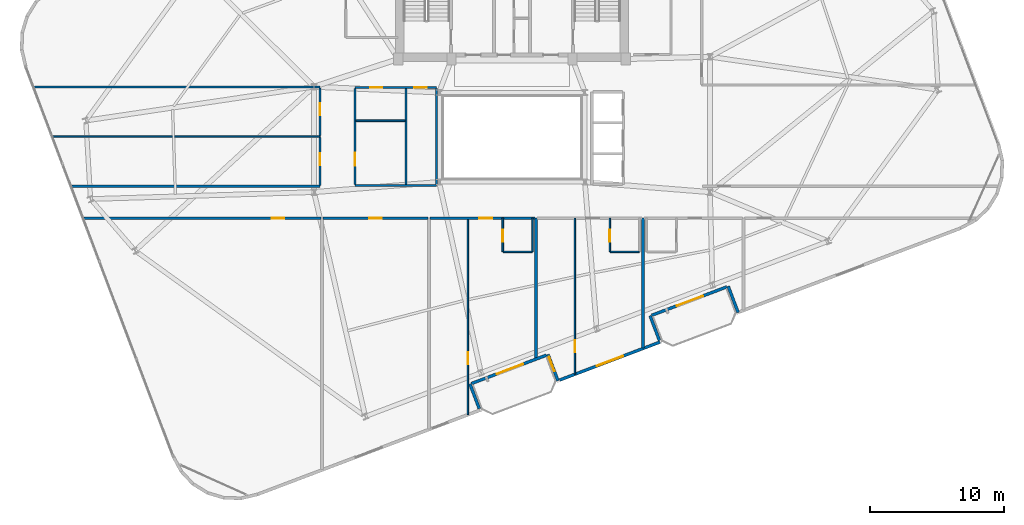
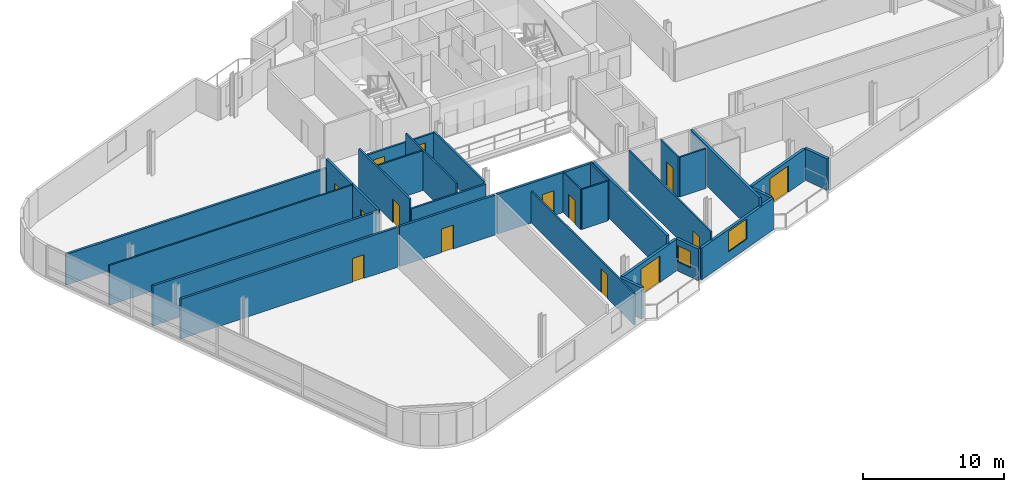
# One storey, part 18 of 24: 30 walls, 14 doors, 2 windows, 16 openings.
"""IFC4 building model written with IfcOpenShell, lengths in metres."""

from ifc_helpers import new_model, si_unit, direction, frame, frame_2d, origin, place, context, subcontext, project, spatial, rectangle, extrude, material, layer, layer_set, type_object, element, fill, save


model = new_model("IFC4")

# Units and contexts
model_context = context("Model", 3, precision=1e-05, world=origin(), true_north=direction((0.0, 1.0)))
body_context = subcontext(model_context, "Body", "Model", "MODEL_VIEW")
ifc_project = project(units=[si_unit("LENGTHUNIT", "METRE"), si_unit("AREAUNIT", "SQUARE_METRE"), si_unit("VOLUMEUNIT", "CUBIC_METRE"), si_unit("PLANEANGLEUNIT", "RADIAN"), si_unit("MASSUNIT", "GRAM", prefix="KILO")], contexts=[model_context])

# Site, building, storey
site_placement = place(None, origin())
site = spatial("IfcSite", under=ifc_project, at=site_placement, CompositionType="ELEMENT")
building_placement = place(site_placement, origin())
building = spatial("IfcBuilding", under=site, at=building_placement, Name="Varnelok Gate Tower", CompositionType="ELEMENT")
storey_placement = place(building_placement, frame((0.0, 0.0, 242.300048828125)))
storey = spatial("IfcBuildingStorey", under=building, at=storey_placement, Name="L62", CompositionType="ELEMENT", Elevation=242.300048828125)

# Wall, opening, door
ifc_material_1 = material(Name="Concrete C45/55", Category="concrete")
ifc_layer_1 = layer(ifc_material_1, 0.219970703125)
ifc_layer_set_1 = layer_set([ifc_layer_1], Name="Concrete C45/55")
wall_type_1 = type_object("IfcWallType", Name="EW-BALC-220", PredefinedType="SOLIDWALL", material=ifc_layer_set_1)
wall_1_placement = place(storey_placement, frame((41.783203125, 6.6142578125, 0.0), z_axis=(0.0, 0.0, 1.0), x_axis=(-0.93521416643, -0.354082565101, 0.0)))
wall_1 = element("IfcWall", 1, at=wall_1_placement, inside=storey, type_object=wall_type_1, Name="L62 South Terrace Envelope Wall 1", PredefinedType="SOLIDWALL", context=body_context, shape_type="SweptSolid", body=[
    extrude(rectangle(XDim=6.0, YDim=0.219970703125, at=frame_2d((3.0, 0.0))), origin(), (0.0, 0.0, 1.0), 2.72998046875),
])
opening_1_placement = place(wall_1_placement, frame((1.887939453125, 0.0, 0.0)))
opening_1 = element("IfcOpeningElement", 2, at=opening_1_placement, cuts=wall_1, Name="Opening BD-2", PredefinedType="OPENING", context=body_context, shape_type="SweptSolid", body=[
    extrude(rectangle(XDim=2.10009765625, YDim=2.300048828125, at=frame_2d((1.050048828125, 1.14990234375))), frame((0.0, 0.119873046875, 0.0), z_axis=(0.0, -1.0, 0.0), x_axis=(1.0, 0.0, 0.0)), (0.0, 0.0, 1.0), 0.239990234375),
])
ifc_material_2 = material(Name="Anodized Aluminum Alloy 6063-T6", Category="aluminium")
door_type_1 = type_object("IfcDoorType", Name="DR-EXT-SLID2100", OperationType="SLIDING_TO_LEFT", PredefinedType="DOOR", material=ifc_material_2)
door_1_placement = place(opening_1_placement, origin())
door_1 = element("IfcDoor", 3, at=door_1_placement, inside=storey, type_object=door_type_1, Name="L62 South Balcony Glazed Door 1", OperationType="SLIDING_TO_LEFT", OverallHeight=2.300048828125, OverallWidth=2.10009765625, PredefinedType="DOOR", context=body_context, shape_type="SweptSolid", body=[
    extrude(rectangle(XDim=2.10009765625, YDim=2.300048828125, at=frame_2d((1.050048828125, 1.14990234375))), frame((0.0, 0.02490234375, 0.0), z_axis=(0.0, -1.0, 0.0), x_axis=(1.0, 0.0, 0.0)), (0.0, 0.0, 1.0), 0.050048828125),
])
fill(opening_1, door_1)

wall_2_placement = place(storey_placement, frame((55.25048828125, 11.712646484375, 0.0), z_axis=(0.0, 0.0, 1.0), x_axis=(-0.935227640088, -0.354046976001, 0.0)))
wall_2 = element("IfcWall", 4, at=wall_2_placement, inside=storey, type_object=wall_type_1, Name="L62 South Terrace Envelope Wall 2", PredefinedType="SOLIDWALL", context=body_context, shape_type="SweptSolid", body=[
    extrude(rectangle(XDim=6.0, YDim=0.219970703125, at=frame_2d((3.0, 0.0))), origin(), (0.0, 0.0, 1.0), 2.72998046875),
])
opening_2_placement = place(wall_2_placement, frame((1.887939453125, 0.0, 0.0)))
opening_2 = element("IfcOpeningElement", 5, at=opening_2_placement, cuts=wall_2, Name="Opening BD-2", PredefinedType="OPENING", context=body_context, shape_type="SweptSolid", body=[
    extrude(rectangle(XDim=2.10009765625, YDim=2.300048828125, at=frame_2d((1.050048828125, 1.14990234375))), frame((0.0, 0.119873046875, 0.0), z_axis=(0.0, -1.0, 0.0), x_axis=(1.0, 0.0, 0.0)), (0.0, 0.0, 1.0), 0.239990234375),
])
door_2_placement = place(opening_2_placement, origin())
door_2 = element("IfcDoor", 6, at=door_2_placement, inside=storey, type_object=door_type_1, Name="L62 South Balcony Glazed Door 2", OperationType="SLIDING_TO_LEFT", OverallHeight=2.300048828125, OverallWidth=2.10009765625, PredefinedType="DOOR", context=body_context, shape_type="SweptSolid", body=[
    extrude(rectangle(XDim=2.10009765625, YDim=2.300048828125, at=frame_2d((1.050048828125, 1.14990234375))), frame((0.0, 0.02490234375, 0.0), z_axis=(0.0, -1.0, 0.0), x_axis=(1.0, 0.0, 0.0)), (0.0, 0.0, 1.0), 0.050048828125),
])
fill(opening_2, door_2)

# Wall
wall_3_placement = place(storey_placement, frame((36.75537109375, 2.609619140625, 0.0), z_axis=(0.0, 0.0, 1.0), x_axis=(-0.354020680661, 0.935237594232, 0.0)))
element("IfcWall", 7, at=wall_3_placement, inside=storey, type_object=wall_type_1, Name="L62 Perimeter Facade Closure Wall 8", PredefinedType="SOLIDWALL", context=body_context, shape_type="SweptSolid", body=[
    extrude(rectangle(XDim=1.97509765625, YDim=0.219970703125, at=frame_2d((0.987548828125, 0.0))), origin(), (0.0, 0.0, 1.0), 2.72998046875),
])

# Wall, opening, window
wall_4_placement = place(storey_placement, frame((41.891845703125, 6.666015625, 0.0), z_axis=(0.0, 0.0, 1.0), x_axis=(0.354128469405, -0.935196785258, 0.0)))
wall_4 = element("IfcWall", 8, at=wall_4_placement, inside=storey, type_object=wall_type_1, Name="L62 Perimeter Facade Closure Wall 9", PredefinedType="SOLIDWALL", context=body_context, shape_type="SweptSolid", body=[
    extrude(rectangle(XDim=2.099853515625, YDim=0.219970703125, at=frame_2d((1.0498046875, 0.0))), origin(), (0.0, 0.0, 1.0), 2.72998046875),
])
opening_3_placement = place(wall_4_placement, frame((0.199951171875, 0.0, 0.800048828125)))
opening_3 = element("IfcOpeningElement", 9, at=opening_3_placement, cuts=wall_4, Name="Opening WN8", PredefinedType="OPENING", context=body_context, shape_type="SweptSolid", body=[
    extrude(rectangle(XDim=1.14990234375, YDim=1.39990234375, at=frame_2d((0.574951171875, 0.699951171875))), frame((0.0, 0.119873046875, 0.0), z_axis=(0.0, -1.0, 0.0), x_axis=(1.0, 0.0, 0.0)), (0.0, 0.0, 1.0), 0.239990234375),
])
ifc_material_3 = material(Name="Low-E Laminated Double Glazing IGU", Category="glass")
window_type_1 = type_object("IfcWindowType", Name="WN-BED-1150", PartitioningType="SINGLE_PANEL", PredefinedType="WINDOW", material=ifc_material_3)
window_1_placement = place(opening_3_placement, origin())
window_1 = element("IfcWindow", 10, at=window_1_placement, inside=storey, type_object=window_type_1, Name="L62 Bedroom Vision Window 47", OverallHeight=1.39990234375, OverallWidth=1.14990234375, PartitioningType="SINGLE_PANEL", PredefinedType="WINDOW", context=body_context, shape_type="SweptSolid", body=[
    extrude(rectangle(XDim=1.14990234375, YDim=1.39990234375, at=frame_2d((0.574951171875, 0.699951171875))), frame((0.0, 0.030029296875, 0.0), z_axis=(0.0, -1.0, 0.0), x_axis=(1.0, 0.0, 0.0)), (0.0, 0.0, 1.0), 0.06005859375),
])
fill(opening_3, window_1)

wall_5_placement = place(storey_placement, frame((42.75244140625, 4.746337890625, 0.0), z_axis=(0.0, 0.0, 1.0), x_axis=(0.935216926991, 0.354075273733, 0.0)))
wall_5 = element("IfcWall", 11, at=wall_5_placement, inside=storey, type_object=wall_type_1, Name="L62 Perimeter Facade Closure Wall 10", PredefinedType="SOLIDWALL", context=body_context, shape_type="SweptSolid", body=[
    extrude(rectangle(XDim=8.034912109375, YDim=0.219970703125, at=frame_2d((4.017578125, 0.0))), origin(), (0.0, 0.0, 1.0), 2.72998046875),
])
opening_4_placement = place(wall_5_placement, frame((2.967529296875, 0.0, 0.800048828125)))
opening_4 = element("IfcOpeningElement", 12, at=opening_4_placement, cuts=wall_5, Name="Opening WN4", PredefinedType="OPENING", context=body_context, shape_type="SweptSolid", body=[
    extrude(rectangle(XDim=2.10009765625, YDim=1.75, at=frame_2d((1.050048828125, 0.875))), frame((0.0, 0.119873046875, 0.0), z_axis=(0.0, -1.0, 0.0), x_axis=(1.0, 0.0, 0.0)), (0.0, 0.0, 1.0), 0.239990234375),
])
window_type_2 = type_object("IfcWindowType", Name="WN-SUI-2100", PartitioningType="SINGLE_PANEL", PredefinedType="WINDOW", material=ifc_material_3)
window_2_placement = place(opening_4_placement, origin())
window_2 = element("IfcWindow", 13, at=window_2_placement, inside=storey, type_object=window_type_2, Name="L62 Perimeter Vision Window 10", OverallHeight=1.75, OverallWidth=2.10009765625, PartitioningType="SINGLE_PANEL", PredefinedType="WINDOW", context=body_context, shape_type="SweptSolid", body=[
    extrude(rectangle(XDim=2.10009765625, YDim=1.75, at=frame_2d((1.050048828125, 0.875))), frame((0.0, 0.030029296875, 0.0), z_axis=(0.0, -1.0, 0.0), x_axis=(1.0, 0.0, 0.0)), (0.0, 0.0, 1.0), 0.06005859375),
])
fill(opening_4, window_2)

# Walls
wall_6_placement = place(storey_placement, frame((50.22265625, 7.7080078125, 0.0), z_axis=(0.0, 0.0, 1.0), x_axis=(-0.354020680661, 0.935237594232, 0.0)))
element("IfcWall", 14, at=wall_6_placement, inside=storey, type_object=wall_type_1, Name="L62 Perimeter Facade Closure Wall 11", PredefinedType="SOLIDWALL", context=body_context, shape_type="SweptSolid", body=[
    extrude(rectangle(XDim=1.97509765625, YDim=0.219970703125, at=frame_2d((0.987548828125, 0.0))), origin(), (0.0, 0.0, 1.0), 2.72998046875),
])
wall_7_placement = place(storey_placement, frame((55.359130859375, 11.764404296875, 0.0), z_axis=(0.0, 0.0, 1.0), x_axis=(0.354026782794, -0.935235284334, 0.0)))
element("IfcWall", 15, at=wall_7_placement, inside=storey, type_object=wall_type_1, Name="L62 Perimeter Facade Closure Wall 12", PredefinedType="SOLIDWALL", context=body_context, shape_type="SweptSolid", body=[
    extrude(rectangle(XDim=2.099853515625, YDim=0.219970703125, at=frame_2d((1.0498046875, 0.0))), origin(), (0.0, 0.0, 1.0), 2.72998046875),
])

# Wall, opening, door
ifc_material_4 = material(Name="Gypsum Plasterboard Acoustic Partition", Category="gypsum")
ifc_layer_2 = layer(ifc_material_4, 0.179931640625)
ifc_layer_set_2 = layer_set([ifc_layer_2], Name="Gypsum Plasterboard Acoustic Partition")
wall_type_2 = type_object("IfcWallType", Name="PW-CORR-180", PredefinedType="PARTITIONING", material=ifc_layer_set_2)
wall_8_placement = place(storey_placement, frame((7.196044921875, 16.85009765625, 0.0), z_axis=(0.0, 0.0, 1.0), x_axis=(1.0, 0.0, 0.0)))
wall_8 = element("IfcWall", 16, at=wall_8_placement, inside=storey, type_object=wall_type_2, Name="Interior Partition", PredefinedType="PARTITIONING", context=body_context, shape_type="SweptSolid", body=[
    extrude(rectangle(XDim=17.723876953125, YDim=0.179931640625, at=frame_2d((8.86181640625, 0.0))), origin(), (0.0, 0.0, 1.0), 3.449951171875),
])
opening_5_placement = place(wall_8_placement, frame((14.02880859375, 0.0, 0.0)))
opening_5 = element("IfcOpeningElement", 17, at=opening_5_placement, cuts=wall_8, Name="Opening D-I2", PredefinedType="OPENING", context=body_context, shape_type="SweptSolid", body=[
    extrude(rectangle(XDim=0.949951171875, YDim=2.050048828125, at=frame_2d((0.47509765625, 1.02490234375))), frame((0.0, 0.099853515625, 0.0), z_axis=(0.0, -1.0, 0.0), x_axis=(1.0, 0.0, 0.0)), (0.0, 0.0, 1.0), 0.199951171875),
])
ifc_material_5 = material(Name="Engineered Hardwood Timber", Category="wood")
door_type_2 = type_object("IfcDoorType", Name="DR-INT-950", OperationType="NOTDEFINED", PredefinedType="DOOR", material=ifc_material_5)
door_3_placement = place(opening_5_placement, origin())
door_3 = element("IfcDoor", 18, at=door_3_placement, inside=storey, type_object=door_type_2, Name="L62 Hotel Business Center Door", OperationType="SINGLE_SWING_LEFT", OverallHeight=2.050048828125, OverallWidth=0.949951171875, PredefinedType="DOOR", context=body_context, shape_type="SweptSolid", body=[
    extrude(rectangle(XDim=0.949951171875, YDim=2.050048828125, at=frame_2d((0.47509765625, 1.02490234375))), frame((0.0, 0.02490234375, 0.0), z_axis=(0.0, -1.0, 0.0), x_axis=(1.0, 0.0, 0.0)), (0.0, 0.0, 1.0), 0.050048828125),
])
fill(opening_5, door_3)

wall_9_placement = place(storey_placement, frame((25.080078125, 16.85009765625, 0.0), z_axis=(0.0, 0.0, 1.0), x_axis=(1.0, 0.0, 0.0)))
wall_9 = element("IfcWall", 19, at=wall_9_placement, inside=storey, type_object=wall_type_2, Name="Interior Partition", PredefinedType="PARTITIONING", context=body_context, shape_type="SweptSolid", body=[
    extrude(rectangle(XDim=7.83984375, YDim=0.179931640625, at=frame_2d((3.919921875, 0.0))), origin(), (0.0, 0.0, 1.0), 3.449951171875),
])
opening_6_placement = place(wall_9_placement, frame((3.445068359375, 0.0, 0.0)))
opening_6 = element("IfcOpeningElement", 20, at=opening_6_placement, cuts=wall_9, Name="Opening D-I2", PredefinedType="OPENING", context=body_context, shape_type="SweptSolid", body=[
    extrude(rectangle(XDim=0.949951171875, YDim=2.050048828125, at=frame_2d((0.47509765625, 1.02490234375))), frame((0.0, 0.099853515625, 0.0), z_axis=(0.0, -1.0, 0.0), x_axis=(1.0, 0.0, 0.0)), (0.0, 0.0, 1.0), 0.199951171875),
])
door_4_placement = place(opening_6_placement, origin())
door_4 = element("IfcDoor", 21, at=door_4_placement, inside=storey, type_object=door_type_2, Name="L62 Executive Business Office 1 Door", OperationType="SINGLE_SWING_LEFT", OverallHeight=2.050048828125, OverallWidth=0.949951171875, PredefinedType="DOOR", context=body_context, shape_type="SweptSolid", body=[
    extrude(rectangle(XDim=0.949951171875, YDim=2.050048828125, at=frame_2d((0.47509765625, 1.02490234375))), frame((0.0, 0.02490234375, 0.0), z_axis=(0.0, -1.0, 0.0), x_axis=(1.0, 0.0, 0.0)), (0.0, 0.0, 1.0), 0.050048828125),
])
fill(opening_6, door_4)

wall_10_placement = place(storey_placement, frame((33.080078125, 16.85009765625, 0.0), z_axis=(0.0, 0.0, 1.0), x_axis=(1.0, 0.0, 0.0)))
wall_10 = element("IfcWall", 22, at=wall_10_placement, inside=storey, type_object=wall_type_2, Name="Interior Partition", PredefinedType="PARTITIONING", context=body_context, shape_type="SweptSolid", body=[
    extrude(rectangle(XDim=7.83984375, YDim=0.179931640625, at=frame_2d((3.919921875, 0.0))), origin(), (0.0, 0.0, 1.0), 3.449951171875),
])
opening_7_placement = place(wall_10_placement, frame((3.679931640625, 0.0, 0.0)))
opening_7 = element("IfcOpeningElement", 23, at=opening_7_placement, cuts=wall_10, Name="Opening D-HT", PredefinedType="OPENING", context=body_context, shape_type="SweptSolid", body=[
    extrude(rectangle(XDim=0.949951171875, YDim=2.14990234375, at=frame_2d((0.47509765625, 1.074951171875))), frame((0.0, 0.099853515625, 0.0), z_axis=(0.0, -1.0, 0.0), x_axis=(1.0, 0.0, 0.0)), (0.0, 0.0, 1.0), 0.199951171875),
])
door_type_3 = type_object("IfcDoorType", Name="DR-HTL-950", OperationType="NOTDEFINED", PredefinedType="DOOR", material=ifc_material_5)
door_5_placement = place(opening_7_placement, origin())
door_5 = element("IfcDoor", 24, at=door_5_placement, inside=storey, type_object=door_type_3, Name="L62 Guest Room 03 Entrance Door", OperationType="SINGLE_SWING_RIGHT", OverallHeight=2.14990234375, OverallWidth=0.949951171875, PredefinedType="DOOR", context=body_context, shape_type="SweptSolid", body=[
    extrude(rectangle(XDim=0.949951171875, YDim=2.14990234375, at=frame_2d((0.47509765625, 1.074951171875))), frame((0.0, 0.02490234375, 0.0), z_axis=(0.0, -1.0, 0.0), x_axis=(1.0, 0.0, 0.0)), (0.0, 0.0, 1.0), 0.050048828125),
])
fill(opening_7, door_5)

wall_11_placement = place(storey_placement, frame((24.85009765625, 19.300048828125, 0.0), z_axis=(0.0, 0.0, 1.0), x_axis=(0.0, 1.0, 0.0)))
wall_11 = element("IfcWall", 25, at=wall_11_placement, inside=storey, type_object=wall_type_2, Name="Interior Partition", PredefinedType="PARTITIONING", context=body_context, shape_type="SweptSolid", body=[
    extrude(rectangle(XDim=3.570068359375, YDim=0.179931640625, at=frame_2d((1.78515625, 0.0))), origin(), (0.0, 0.0, 1.0), 3.449951171875),
])
opening_8_placement = place(wall_11_placement, frame((1.49951171875, 0.0, 0.0)))
opening_8 = element("IfcOpeningElement", 26, at=opening_8_placement, cuts=wall_11, Name="Opening D-I3", PredefinedType="OPENING", context=body_context, shape_type="SweptSolid", body=[
    extrude(rectangle(XDim=0.919921875, YDim=2.050048828125, at=frame_2d((0.4599609375, 1.02490234375))), frame((0.0, 0.099853515625, 0.0), z_axis=(0.0, -1.0, 0.0), x_axis=(1.0, 0.0, 0.0)), (0.0, 0.0, 1.0), 0.199951171875),
])
door_type_4 = type_object("IfcDoorType", Name="DR-INT-920", OperationType="NOTDEFINED", PredefinedType="DOOR", material=ifc_material_5)
door_6_placement = place(opening_8_placement, origin())
door_6 = element("IfcDoor", 27, at=door_6_placement, inside=storey, type_object=door_type_4, Name="L62 West Wing Room 1 Door", OperationType="SINGLE_SWING_LEFT", OverallHeight=2.050048828125, OverallWidth=0.919921875, PredefinedType="DOOR", context=body_context, shape_type="SweptSolid", body=[
    extrude(rectangle(XDim=0.919921875, YDim=2.050048828125, at=frame_2d((0.4599609375, 1.02490234375))), frame((0.0, 0.02490234375, 0.0), z_axis=(0.0, -1.0, 0.0), x_axis=(1.0, 0.0, 0.0)), (0.0, 0.0, 1.0), 0.050048828125),
])
fill(opening_8, door_6)

wall_12_placement = place(storey_placement, frame((24.85009765625, 23.030029296875, 0.0), z_axis=(0.0, 0.0, 1.0), x_axis=(0.0, 1.0, 0.0)))
wall_12 = element("IfcWall", 28, at=wall_12_placement, inside=storey, type_object=wall_type_2, Name="Interior Partition", PredefinedType="PARTITIONING", context=body_context, shape_type="SweptSolid", body=[
    extrude(rectangle(XDim=3.570068359375, YDim=0.179931640625, at=frame_2d((1.78515625, 0.0))), origin(), (0.0, 0.0, 1.0), 3.449951171875),
])
opening_9_placement = place(wall_12_placement, frame((1.49951171875, 0.0, 0.0)))
opening_9 = element("IfcOpeningElement", 29, at=opening_9_placement, cuts=wall_12, Name="Opening D-I3", PredefinedType="OPENING", context=body_context, shape_type="SweptSolid", body=[
    extrude(rectangle(XDim=0.919921875, YDim=2.050048828125, at=frame_2d((0.4599609375, 1.02490234375))), frame((0.0, 0.099853515625, 0.0), z_axis=(0.0, -1.0, 0.0), x_axis=(1.0, 0.0, 0.0)), (0.0, 0.0, 1.0), 0.199951171875),
])
door_7_placement = place(opening_9_placement, origin())
door_7 = element("IfcDoor", 30, at=door_7_placement, inside=storey, type_object=door_type_4, Name="L62 West Wing Room 2 Door", OperationType="SINGLE_SWING_RIGHT", OverallHeight=2.050048828125, OverallWidth=0.919921875, PredefinedType="DOOR", context=body_context, shape_type="SweptSolid", body=[
    extrude(rectangle(XDim=0.919921875, YDim=2.050048828125, at=frame_2d((0.4599609375, 1.02490234375))), frame((0.0, 0.02490234375, 0.0), z_axis=(0.0, -1.0, 0.0), x_axis=(1.0, 0.0, 0.0)), (0.0, 0.0, 1.0), 0.050048828125),
])
fill(opening_9, door_7)

# Walls
wall_13_placement = place(storey_placement, frame((6.291259765625, 19.239990234375, 0.0), z_axis=(0.0, 0.0, 1.0), x_axis=(1.0, 0.0, 0.0)))
element("IfcWall", 31, at=wall_13_placement, inside=storey, type_object=wall_type_2, Name="Interior Partition", PredefinedType="PARTITIONING", context=body_context, shape_type="SweptSolid", body=[
    extrude(rectangle(XDim=18.558837890625, YDim=0.179931640625, at=frame_2d((9.279296875, 0.0))), origin(), (0.0, 0.0, 1.0), 3.449951171875),
])
wall_14_placement = place(storey_placement, frame((3.482177734375, 26.659912109375, 0.0), z_axis=(0.0, 0.0, 1.0), x_axis=(1.0, 0.0, 0.0)))
element("IfcWall", 32, at=wall_14_placement, inside=storey, type_object=wall_type_2, Name="Interior Partition", PredefinedType="PARTITIONING", context=body_context, shape_type="SweptSolid", body=[
    extrude(rectangle(XDim=21.367919921875, YDim=0.179931640625, at=frame_2d((10.68408203125, 0.0))), origin(), (0.0, 0.0, 1.0), 2.661865234375),
])
ifc_layer_3 = layer(ifc_material_4, 0.114990234375)
ifc_layer_set_3 = layer_set([ifc_layer_3], Name="Gypsum Plasterboard Acoustic Partition")
wall_type_3 = type_object("IfcWallType", Name="PW-ENS-125", PredefinedType="PARTITIONING", material=ifc_layer_set_3)
wall_15_placement = place(storey_placement, frame((38.550048828125, 14.330078125, 0.0), z_axis=(0.0, 0.0, 1.0), x_axis=(1.0, 0.0, 0.0)))
element("IfcWall", 33, at=wall_15_placement, inside=storey, type_object=wall_type_3, Name="Interior Partition", PredefinedType="PARTITIONING", context=body_context, shape_type="SweptSolid", body=[
    extrude(rectangle(XDim=2.14990234375, YDim=0.114990234375, at=frame_2d((1.074951171875, 0.0))), origin(), (0.0, 0.0, 1.0), 3.449951171875),
])

# Wall, opening, door
wall_16_placement = place(storey_placement, frame((38.510009765625, 14.330078125, 0.0), z_axis=(0.0, 0.0, 1.0), x_axis=(0.0, 1.0, 0.0)))
wall_16 = element("IfcWall", 34, at=wall_16_placement, inside=storey, type_object=wall_type_3, Name="Interior Partition", PredefinedType="PARTITIONING", context=body_context, shape_type="SweptSolid", body=[
    extrude(rectangle(XDim=2.52001953125, YDim=0.114990234375, at=frame_2d((1.260009765625, 0.0))), origin(), (0.0, 0.0, 1.0), 3.449951171875),
])
opening_10_placement = place(wall_16_placement, frame((0.760009765625, 0.0, 0.0)))
opening_10 = element("IfcOpeningElement", 35, at=opening_10_placement, cuts=wall_16, Name="Opening D-WC", PredefinedType="OPENING", context=body_context, shape_type="SweptSolid", body=[
    extrude(rectangle(XDim=0.89990234375, YDim=2.050048828125, at=frame_2d((0.449951171875, 1.02490234375))), frame((0.0, 0.0673828125, 0.0), z_axis=(0.0, -1.0, 0.0), x_axis=(1.0, 0.0, 0.0)), (0.0, 0.0, 1.0), 0.135009765625),
])
door_type_5 = type_object("IfcDoorType", Name="DR-BATH-900", OperationType="NOTDEFINED", PredefinedType="DOOR", material=ifc_material_5)
door_8_placement = place(opening_10_placement, origin())
door_8 = element("IfcDoor", 36, at=door_8_placement, inside=storey, type_object=door_type_5, Name="L62 Guest En-Suite 03 Door", OperationType="SINGLE_SWING_RIGHT", OverallHeight=2.050048828125, OverallWidth=0.89990234375, PredefinedType="DOOR", context=body_context, shape_type="SweptSolid", body=[
    extrude(rectangle(XDim=0.89990234375, YDim=2.050048828125, at=frame_2d((0.449951171875, 1.02490234375))), frame((0.0, 0.02490234375, 0.0), z_axis=(0.0, -1.0, 0.0), x_axis=(1.0, 0.0, 0.0)), (0.0, 0.0, 1.0), 0.050048828125),
])
fill(opening_10, door_8)

# Walls
wall_17_placement = place(storey_placement, frame((40.739990234375, 14.330078125, 0.0), z_axis=(0.0, 0.0, 1.0), x_axis=(0.0, 1.0, 0.0)))
element("IfcWall", 37, at=wall_17_placement, inside=storey, type_object=wall_type_3, Name="Interior Partition", PredefinedType="PARTITIONING", context=body_context, shape_type="SweptSolid", body=[
    extrude(rectangle(XDim=2.52001953125, YDim=0.114990234375, at=frame_2d((1.260009765625, 0.0))), origin(), (0.0, 0.0, 1.0), 3.449951171875),
])
wall_18_placement = place(storey_placement, frame((46.550048828125, 14.330078125, 0.0), z_axis=(0.0, 0.0, 1.0), x_axis=(1.0, 0.0, 0.0)))
element("IfcWall", 38, at=wall_18_placement, inside=storey, type_object=wall_type_3, Name="Interior Partition", PredefinedType="PARTITIONING", context=body_context, shape_type="SweptSolid", body=[
    extrude(rectangle(XDim=2.14990234375, YDim=0.114990234375, at=frame_2d((1.074951171875, 0.0))), origin(), (0.0, 0.0, 1.0), 3.449951171875),
])

# Wall, opening, door
wall_19_placement = place(storey_placement, frame((46.510009765625, 14.330078125, 0.0), z_axis=(0.0, 0.0, 1.0), x_axis=(0.0, 1.0, 0.0)))
wall_19 = element("IfcWall", 39, at=wall_19_placement, inside=storey, type_object=wall_type_3, Name="Interior Partition", PredefinedType="PARTITIONING", context=body_context, shape_type="SweptSolid", body=[
    extrude(rectangle(XDim=2.52001953125, YDim=0.114990234375, at=frame_2d((1.260009765625, 0.0))), origin(), (0.0, 0.0, 1.0), 3.449951171875),
])
opening_11_placement = place(wall_19_placement, frame((0.760009765625, 0.0, 0.0)))
opening_11 = element("IfcOpeningElement", 40, at=opening_11_placement, cuts=wall_19, Name="Opening D-WC", PredefinedType="OPENING", context=body_context, shape_type="SweptSolid", body=[
    extrude(rectangle(XDim=0.89990234375, YDim=2.050048828125, at=frame_2d((0.449951171875, 1.02490234375))), frame((0.0, 0.0673828125, 0.0), z_axis=(0.0, -1.0, 0.0), x_axis=(1.0, 0.0, 0.0)), (0.0, 0.0, 1.0), 0.135009765625),
])
door_9_placement = place(opening_11_placement, origin())
door_9 = element("IfcDoor", 41, at=door_9_placement, inside=storey, type_object=door_type_5, Name="L62 Guest En-Suite 04 Door", OperationType="SINGLE_SWING_RIGHT", OverallHeight=2.050048828125, OverallWidth=0.89990234375, PredefinedType="DOOR", context=body_context, shape_type="SweptSolid", body=[
    extrude(rectangle(XDim=0.89990234375, YDim=2.050048828125, at=frame_2d((0.449951171875, 1.02490234375))), frame((0.0, 0.02490234375, 0.0), z_axis=(0.0, -1.0, 0.0), x_axis=(1.0, 0.0, 0.0)), (0.0, 0.0, 1.0), 0.050048828125),
])
fill(opening_11, door_9)

ifc_layer_4 = layer(ifc_material_4, 0.125)
ifc_layer_set_4 = layer_set([ifc_layer_4], Name="Gypsum Plasterboard Acoustic Partition")
wall_type_4 = type_object("IfcWallType", Name="PW-PART-125", PredefinedType="PARTITIONING", material=ifc_layer_set_4)
wall_20_placement = place(storey_placement, frame((35.89990234375, 2.173583984375, 0.0), z_axis=(0.0, 0.0, 1.0), x_axis=(0.0, 1.0, 0.0)))
wall_20 = element("IfcWall", 42, at=wall_20_placement, inside=storey, type_object=wall_type_4, Name="Interior Partition", PredefinedType="PARTITIONING", context=body_context, shape_type="SweptSolid", body=[
    extrude(rectangle(XDim=14.676513671875, YDim=0.125, at=frame_2d((7.33837890625, 0.0))), origin(), (0.0, 0.0, 1.0), 2.739013671875),
])
opening_12_placement = place(wall_20_placement, frame((3.75244140625, 0.0, 0.0)))
opening_12 = element("IfcOpeningElement", 43, at=opening_12_placement, cuts=wall_20, Name="Opening D-I3", PredefinedType="OPENING", context=body_context, shape_type="SweptSolid", body=[
    extrude(rectangle(XDim=0.919921875, YDim=2.050048828125, at=frame_2d((0.4599609375, 1.02490234375))), frame((0.0, 0.072509765625, 0.0), z_axis=(0.0, -1.0, 0.0), x_axis=(1.0, 0.0, 0.0)), (0.0, 0.0, 1.0), 0.14501953125),
])
door_10_placement = place(opening_12_placement, origin())
door_10 = element("IfcDoor", 44, at=door_10_placement, inside=storey, type_object=door_type_4, Name="L62 Suite Bedroom Door 3", OperationType="SINGLE_SWING_LEFT", OverallHeight=2.050048828125, OverallWidth=0.919921875, PredefinedType="DOOR", context=body_context, shape_type="SweptSolid", body=[
    extrude(rectangle(XDim=0.919921875, YDim=2.050048828125, at=frame_2d((0.4599609375, 1.02490234375))), frame((0.0, 0.02490234375, 0.0), z_axis=(0.0, -1.0, 0.0), x_axis=(1.0, 0.0, 0.0)), (0.0, 0.0, 1.0), 0.050048828125),
])
fill(opening_12, door_10)

wall_21_placement = place(storey_placement, frame((43.89990234375, 5.2021484375, 0.0), z_axis=(0.0, 0.0, 1.0), x_axis=(0.0, 1.0, 0.0)))
wall_21 = element("IfcWall", 45, at=wall_21_placement, inside=storey, type_object=wall_type_4, Name="Interior Partition", PredefinedType="PARTITIONING", context=body_context, shape_type="SweptSolid", body=[
    extrude(rectangle(XDim=11.64794921875, YDim=0.125, at=frame_2d((5.823974609375, 0.0))), origin(), (0.0, 0.0, 1.0), 3.449951171875),
])
opening_13_placement = place(wall_21_placement, frame((1.610107421875, 0.0, 0.0)))
opening_13 = element("IfcOpeningElement", 46, at=opening_13_placement, cuts=wall_21, Name="Opening D-I3", PredefinedType="OPENING", context=body_context, shape_type="SweptSolid", body=[
    extrude(rectangle(XDim=0.919921875, YDim=2.050048828125, at=frame_2d((0.4599609375, 1.02490234375))), frame((0.0, 0.072509765625, 0.0), z_axis=(0.0, -1.0, 0.0), x_axis=(1.0, 0.0, 0.0)), (0.0, 0.0, 1.0), 0.14501953125),
])
door_11_placement = place(opening_13_placement, origin())
door_11 = element("IfcDoor", 47, at=door_11_placement, inside=storey, type_object=door_type_4, Name="L62 Suite Bedroom Door 4", OperationType="SINGLE_SWING_LEFT", OverallHeight=2.050048828125, OverallWidth=0.919921875, PredefinedType="DOOR", context=body_context, shape_type="SweptSolid", body=[
    extrude(rectangle(XDim=0.919921875, YDim=2.050048828125, at=frame_2d((0.4599609375, 1.02490234375))), frame((0.0, 0.02490234375, 0.0), z_axis=(0.0, -1.0, 0.0), x_axis=(1.0, 0.0, 0.0)), (0.0, 0.0, 1.0), 0.050048828125),
])
fill(opening_13, door_11)

# Walls
wall_22_placement = place(storey_placement, frame((4.88671875, 22.949951171875, 0.0), z_axis=(0.0, 0.0, 1.0), x_axis=(1.0, 0.0, 0.0)))
element("IfcWall", 48, at=wall_22_placement, inside=storey, type_object=wall_type_4, Name="Interior Partition", PredefinedType="PARTITIONING", context=body_context, shape_type="SweptSolid", body=[
    extrude(rectangle(XDim=19.96337890625, YDim=0.125, at=frame_2d((9.981689453125, 0.0))), origin(), (0.0, 0.0, 1.0), 3.449951171875),
])
wall_23_placement = place(storey_placement, frame((31.280029296875, 19.3798828125, 0.0), z_axis=(0.0, 0.0, 1.0), x_axis=(0.0, 1.0, 0.0)))
element("IfcWall", 49, at=wall_23_placement, inside=storey, type_object=wall_type_4, Name="Interior Partition", PredefinedType="PARTITIONING", context=body_context, shape_type="SweptSolid", body=[
    extrude(rectangle(XDim=7.16015625, YDim=0.125, at=frame_2d((3.580078125, 0.0))), origin(), (0.0, 0.0, 1.0), 3.449951171875),
])
wall_24_placement = place(storey_placement, frame((27.52001953125, 24.1298828125, 0.0), z_axis=(0.0, 0.0, 1.0), x_axis=(1.0, 0.0, 0.0)))
element("IfcWall", 50, at=wall_24_placement, inside=storey, type_object=wall_type_4, Name="Interior Partition", PredefinedType="PARTITIONING", context=body_context, shape_type="SweptSolid", body=[
    extrude(rectangle(XDim=3.699951171875, YDim=0.125, at=frame_2d((1.85009765625, 0.0))), origin(), (0.0, 0.0, 1.0), 3.449951171875),
])
ifc_layer_5 = layer(ifc_material_4, 0.14990234375)
ifc_layer_set_5 = layer_set([ifc_layer_5], Name="Gypsum Plasterboard Acoustic Partition")
wall_type_5 = type_object("IfcWallType", Name="PW-PART-150", PredefinedType="PARTITIONING", material=ifc_layer_set_5)
wall_25_placement = place(storey_placement, frame((27.4599609375, 19.300048828125, 0.0), z_axis=(0.0, 0.0, 1.0), x_axis=(1.0, 0.0, 0.0)))
element("IfcWall", 51, at=wall_25_placement, inside=storey, type_object=wall_type_5, Name="Interior Partition", PredefinedType="PARTITIONING", context=body_context, shape_type="SweptSolid", body=[
    extrude(rectangle(XDim=6.10009765625, YDim=0.14990234375, at=frame_2d((3.050048828125, 0.0))), origin(), (0.0, 0.0, 1.0), 2.661865234375),
])

# Wall, openings, doors
wall_26_placement = place(storey_placement, frame((27.4599609375, 26.6201171875, 0.0), z_axis=(0.0, 0.0, 1.0), x_axis=(1.0, 0.0, 0.0)))
wall_26 = element("IfcWall", 52, at=wall_26_placement, inside=storey, type_object=wall_type_5, Name="Interior Partition", PredefinedType="PARTITIONING", context=body_context, shape_type="SweptSolid", body=[
    extrude(rectangle(XDim=6.10009765625, YDim=0.14990234375, at=frame_2d((3.050048828125, 0.0))), origin(), (0.0, 0.0, 1.0), 2.661865234375),
])
opening_14_placement = place(wall_26_placement, frame((1.14990234375, 0.0, 0.0)))
opening_14 = element("IfcOpeningElement", 53, at=opening_14_placement, cuts=wall_26, Name="Opening D-WC", PredefinedType="OPENING", context=body_context, shape_type="SweptSolid", body=[
    extrude(rectangle(XDim=0.89990234375, YDim=2.050048828125, at=frame_2d((0.449951171875, 1.02490234375))), frame((0.0, 0.0849609375, 0.0), z_axis=(0.0, -1.0, 0.0), x_axis=(1.0, 0.0, 0.0)), (0.0, 0.0, 1.0), 0.169921875),
])
opening_15_placement = place(wall_26_placement, frame((4.449951171875, 0.0, 0.0)))
opening_15 = element("IfcOpeningElement", 54, at=opening_15_placement, cuts=wall_26, Name="Opening D-I3", PredefinedType="OPENING", context=body_context, shape_type="SweptSolid", body=[
    extrude(rectangle(XDim=0.919921875, YDim=2.050048828125, at=frame_2d((0.4599609375, 1.02490234375))), frame((0.0, 0.0849609375, 0.0), z_axis=(0.0, -1.0, 0.0), x_axis=(1.0, 0.0, 0.0)), (0.0, 0.0, 1.0), 0.169921875),
])
door_12_placement = place(opening_14_placement, origin())
door_12 = element("IfcDoor", 55, at=door_12_placement, inside=storey, type_object=door_type_5, Name="L62 Accessible Floor WC Door", OperationType="SINGLE_SWING_LEFT", OverallHeight=2.050048828125, OverallWidth=0.89990234375, PredefinedType="DOOR", context=body_context, shape_type="SweptSolid", body=[
    extrude(rectangle(XDim=0.89990234375, YDim=2.050048828125, at=frame_2d((0.449951171875, 1.02490234375))), frame((0.0, 0.02490234375, 0.0), z_axis=(0.0, -1.0, 0.0), x_axis=(1.0, 0.0, 0.0)), (0.0, 0.0, 1.0), 0.050048828125),
])
fill(opening_14, door_12)
door_13_placement = place(opening_15_placement, origin())
door_13 = element("IfcDoor", 56, at=door_13_placement, inside=storey, type_object=door_type_4, Name="L62 Valet Pantry Door", OperationType="SINGLE_SWING_RIGHT", OverallHeight=2.050048828125, OverallWidth=0.919921875, PredefinedType="DOOR", context=body_context, shape_type="SweptSolid", body=[
    extrude(rectangle(XDim=0.919921875, YDim=2.050048828125, at=frame_2d((0.4599609375, 1.02490234375))), frame((0.0, 0.02490234375, 0.0), z_axis=(0.0, -1.0, 0.0), x_axis=(1.0, 0.0, 0.0)), (0.0, 0.0, 1.0), 0.050048828125),
])
fill(opening_15, door_13)

# Wall, opening, door
wall_27_placement = place(storey_placement, frame((27.4599609375, 19.3798828125, 0.0), z_axis=(0.0, 0.0, 1.0), x_axis=(0.0, 1.0, 0.0)))
wall_27 = element("IfcWall", 57, at=wall_27_placement, inside=storey, type_object=wall_type_5, Name="Interior Partition", PredefinedType="PARTITIONING", context=body_context, shape_type="SweptSolid", body=[
    extrude(rectangle(XDim=7.16015625, YDim=0.14990234375, at=frame_2d((3.580078125, 0.0))), origin(), (0.0, 0.0, 1.0), 3.449951171875),
])
opening_16_placement = place(wall_27_placement, frame((1.39990234375, 0.0, 0.0)))
opening_16 = element("IfcOpeningElement", 58, at=opening_16_placement, cuts=wall_27, Name="Opening D-I2", PredefinedType="OPENING", context=body_context, shape_type="SweptSolid", body=[
    extrude(rectangle(XDim=0.949951171875, YDim=2.050048828125, at=frame_2d((0.47509765625, 1.02490234375))), frame((0.0, 0.0849609375, 0.0), z_axis=(0.0, -1.0, 0.0), x_axis=(1.0, 0.0, 0.0)), (0.0, 0.0, 1.0), 0.169921875),
])
door_14_placement = place(opening_16_placement, origin())
door_14 = element("IfcDoor", 59, at=door_14_placement, inside=storey, type_object=door_type_2, Name="L62 Spa Treatment Suite Door", OperationType="SINGLE_SWING_LEFT", OverallHeight=2.050048828125, OverallWidth=0.949951171875, PredefinedType="DOOR", context=body_context, shape_type="SweptSolid", body=[
    extrude(rectangle(XDim=0.949951171875, YDim=2.050048828125, at=frame_2d((0.47509765625, 1.02490234375))), frame((0.0, 0.02490234375, 0.0), z_axis=(0.0, -1.0, 0.0), x_axis=(1.0, 0.0, 0.0)), (0.0, 0.0, 1.0), 0.050048828125),
])
fill(opening_16, door_14)

# Walls
wall_28_placement = place(storey_placement, frame((33.56005859375, 19.3798828125, 0.0), z_axis=(0.0, 0.0, 1.0), x_axis=(0.0, 1.0, 0.0)))
element("IfcWall", 60, at=wall_28_placement, inside=storey, type_object=wall_type_5, Name="Interior Partition", PredefinedType="PARTITIONING", context=body_context, shape_type="SweptSolid", body=[
    extrude(rectangle(XDim=7.16015625, YDim=0.14990234375, at=frame_2d((3.580078125, 0.0))), origin(), (0.0, 0.0, 1.0), 2.823974609375),
])
ifc_layer_6 = layer(ifc_material_4, 0.205078125)
ifc_layer_set_6 = layer_set([ifc_layer_6], Name="Gypsum Plasterboard Acoustic Partition")
wall_type_6 = type_object("IfcWallType", Name="PW-PARTY-200", PredefinedType="PARTITIONING", material=ifc_layer_set_6)
wall_29_placement = place(storey_placement, frame((41.0, 6.349609375, 0.0), z_axis=(0.0, 0.0, 1.0), x_axis=(0.0, 1.0, 0.0)))
element("IfcWall", 61, at=wall_29_placement, inside=storey, type_object=wall_type_6, Name="L62 South Party Wall 3", PredefinedType="PARTITIONING", context=body_context, shape_type="SweptSolid", body=[
    extrude(rectangle(XDim=10.50048828125, YDim=0.205078125, at=frame_2d((5.250244140625, 0.0))), origin(), (0.0, 0.0, 1.0), 3.449951171875),
])
wall_30_placement = place(storey_placement, frame((49.0, 7.133056640625, 0.0), z_axis=(0.0, 0.0, 1.0), x_axis=(0.0, 1.0, 0.0)))
element("IfcWall", 62, at=wall_30_placement, inside=storey, type_object=wall_type_6, Name="L62 South Party Wall 4", PredefinedType="PARTITIONING", context=body_context, shape_type="SweptSolid", body=[
    extrude(rectangle(XDim=9.717041015625, YDim=0.205078125, at=frame_2d((4.8583984375, 0.0))), origin(), (0.0, 0.0, 1.0), 3.449951171875),
])

save(model, "model.ifc")
